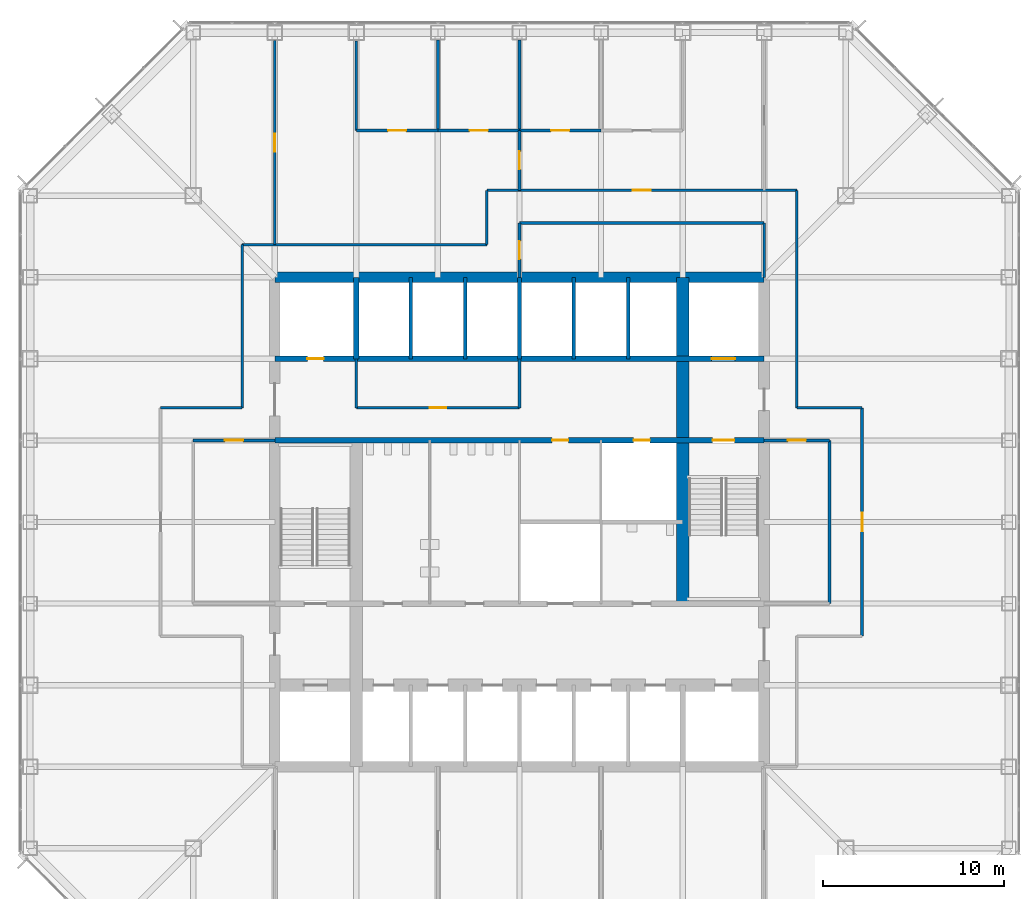
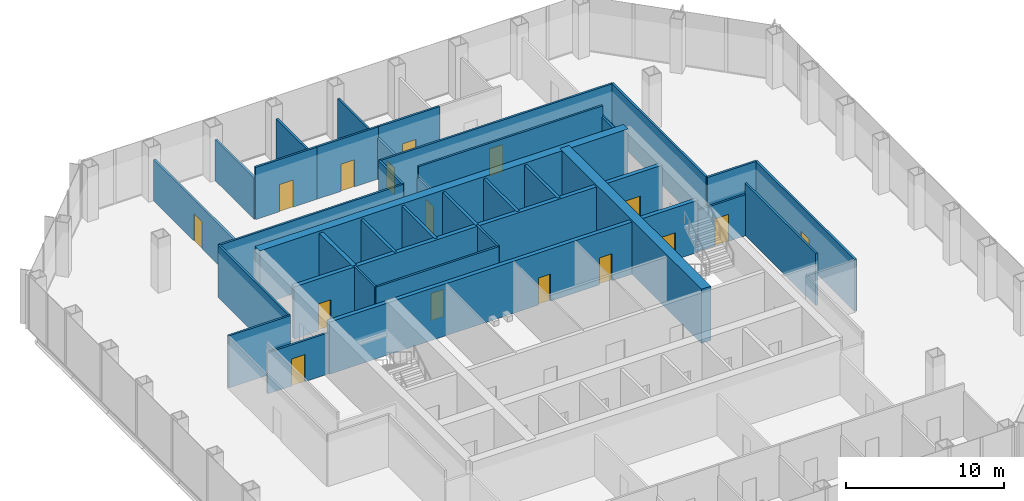
# One storey, part 10 of 13: 35 walls, 16 doors, 16 openings.
"""IFC4 building model written with IfcOpenShell, lengths in metres."""

from ifc_helpers import new_model, si_unit, direction, frame, frame_2d, origin, place, context, subcontext, project, spatial, rectangle, extrude, material, layer, layer_set, type_object, element, fill, save


model = new_model("IFC4")

# Units and contexts
model_context = context("Model", 3, precision=1e-05, world=origin(), true_north=direction((0.0, 1.0)))
body_context = subcontext(model_context, "Body", "Model", "MODEL_VIEW")
ifc_project = project(units=[si_unit("LENGTHUNIT", "METRE"), si_unit("AREAUNIT", "SQUARE_METRE"), si_unit("VOLUMEUNIT", "CUBIC_METRE"), si_unit("PLANEANGLEUNIT", "RADIAN"), si_unit("MASSUNIT", "GRAM", prefix="KILO")], contexts=[model_context])

# Site, building, storey
site_placement = place(None, origin())
site = spatial("IfcSite", under=ifc_project, at=site_placement, CompositionType="ELEMENT")
building_placement = place(site_placement, origin())
building = spatial("IfcBuilding", under=site, at=building_placement, Name="Corais Broadcast Tower", CompositionType="ELEMENT")
storey_placement = place(building_placement, frame((0.0, 0.0, 83.60009765625)))
storey = spatial("IfcBuildingStorey", under=building, at=storey_placement, Name="L18", CompositionType="ELEMENT", Elevation=83.60009765625)

# Wall
ifc_material_1 = material(Name="Concrete blockwork class A, grouted, two-hour", Category="masonry")
ifc_layer_1 = layer(ifc_material_1, 0.300048828125)
ifc_layer_set_1 = layer_set([ifc_layer_1], Name="Concrete blockwork class A, grouted, two-hour")
wall_type_1 = type_object("IfcWallType", Name="Core lobby wall 300", PredefinedType="SOLIDWALL", material=ifc_layer_set_1)
wall_1_placement = place(storey_placement, frame((18.0, 36.0, 0.0), z_axis=(0.0, 0.0, 1.0), x_axis=(0.0, 1.0, 0.0)))
element("IfcWall", 1, at=wall_1_placement, inside=storey, type_object=wall_type_1, Name="CL1 core shaft wall X18B L18", PredefinedType="SOLIDWALL", context=body_context, shape_type="SweptSolid", body=[
    extrude(rectangle(XDim=4.5, YDim=0.300048828125, at=frame_2d((2.25, 0.0))), origin(), (0.0, 0.0, 1.0), 4.039794921875),
])

# Wall, openings, doors
wall_2_placement = place(storey_placement, frame((13.5, 31.5, 0.0), z_axis=(0.0, 0.0, 1.0), x_axis=(1.0, 0.0, 0.0)))
wall_2 = element("IfcWall", 2, at=wall_2_placement, inside=storey, type_object=wall_type_1, Name="CL1 core lobby wall Y315 L18", PredefinedType="SOLIDWALL", context=body_context, shape_type="SweptSolid", body=[
    extrude(rectangle(XDim=27.0, YDim=0.300048828125, at=frame_2d((13.5, 0.0))), origin(), (0.0, 0.0, 1.0), 4.039794921875),
])
opening_1_placement = place(wall_2_placement, frame((24.14990234375, 0.0, 0.0)))
opening_1 = element("IfcOpeningElement", 3, at=opening_1_placement, cuts=wall_2, Name="Opening FD1", PredefinedType="OPENING", context=body_context, shape_type="SweptSolid", body=[
    extrude(rectangle(XDim=1.199951171875, YDim=2.10009765625, at=frame_2d((0.60009765625, 1.050048828125))), frame((0.0, 0.159912109375, 0.0), z_axis=(0.0, -1.0, 0.0), x_axis=(1.0, 0.0, 0.0)), (0.0, 0.0, 1.0), 0.320068359375),
])
opening_2_placement = place(wall_2_placement, frame((15.300048828125, 0.0, 0.0)))
opening_2 = element("IfcOpeningElement", 4, at=opening_2_placement, cuts=wall_2, Name="Opening RD1", PredefinedType="OPENING", context=body_context, shape_type="SweptSolid", body=[
    extrude(rectangle(XDim=0.89990234375, YDim=2.10009765625, at=frame_2d((0.449951171875, 1.050048828125))), frame((0.0, 0.159912109375, 0.0), z_axis=(0.0, -1.0, 0.0), x_axis=(1.0, 0.0, 0.0)), (0.0, 0.0, 1.0), 0.320068359375),
])
opening_3_placement = place(wall_2_placement, frame((19.800048828125, 0.0, 0.0)))
opening_3 = element("IfcOpeningElement", 5, at=opening_3_placement, cuts=wall_2, Name="Opening RD1", PredefinedType="OPENING", context=body_context, shape_type="SweptSolid", body=[
    extrude(rectangle(XDim=0.89990234375, YDim=2.10009765625, at=frame_2d((0.449951171875, 1.050048828125))), frame((0.0, 0.159912109375, 0.0), z_axis=(0.0, -1.0, 0.0), x_axis=(1.0, 0.0, 0.0)), (0.0, 0.0, 1.0), 0.320068359375),
])
ifc_material_2 = material(Name="Steel fire door", Category="steel")
door_type_1 = type_object("IfcDoorType", Name="Fire door 1200x2100", OperationType="SINGLE_SWING_LEFT", PredefinedType="DOOR", material=ifc_material_2)
door_1_placement = place(opening_1_placement, origin())
door_1 = element("IfcDoor", 6, at=door_1_placement, inside=storey, type_object=door_type_1, Name="FD1 stair B door L18", OperationType="SINGLE_SWING_RIGHT", OverallHeight=2.10009765625, OverallWidth=1.199951171875, PredefinedType="DOOR", context=body_context, shape_type="SweptSolid", body=[
    extrude(rectangle(XDim=1.199951171875, YDim=2.10009765625, at=frame_2d((0.60009765625, 1.050048828125))), frame((0.0, 0.02490234375, 0.0), z_axis=(0.0, -1.0, 0.0), x_axis=(1.0, 0.0, 0.0)), (0.0, 0.0, 1.0), 0.050048828125),
])
fill(opening_1, door_1)
ifc_material_3 = material(Name="Steel fire door", Category="steel")
door_type_2 = type_object("IfcDoorType", Name="Riser door 900x2100", OperationType="SINGLE_SWING_LEFT", PredefinedType="DOOR", material=ifc_material_3)
door_2_placement = place(opening_2_placement, origin())
door_2 = element("IfcDoor", 7, at=door_2_placement, inside=storey, type_object=door_type_2, Name="RD1 stationery store door L18", OperationType="SINGLE_SWING_RIGHT", OverallHeight=2.10009765625, OverallWidth=0.89990234375, PredefinedType="DOOR", context=body_context, shape_type="SweptSolid", body=[
    extrude(rectangle(XDim=0.89990234375, YDim=2.10009765625, at=frame_2d((0.449951171875, 1.050048828125))), frame((0.0, 0.02490234375, 0.0), z_axis=(0.0, -1.0, 0.0), x_axis=(1.0, 0.0, 0.0)), (0.0, 0.0, 1.0), 0.050048828125),
])
fill(opening_2, door_2)
door_3_placement = place(opening_3_placement, origin())
door_3 = element("IfcDoor", 8, at=door_3_placement, inside=storey, type_object=door_type_2, Name="RD1 riser door L18", OperationType="SINGLE_SWING_RIGHT", OverallHeight=2.10009765625, OverallWidth=0.89990234375, PredefinedType="DOOR", context=body_context, shape_type="SweptSolid", body=[
    extrude(rectangle(XDim=0.89990234375, YDim=2.10009765625, at=frame_2d((0.449951171875, 1.050048828125))), frame((0.0, 0.02490234375, 0.0), z_axis=(0.0, -1.0, 0.0), x_axis=(1.0, 0.0, 0.0)), (0.0, 0.0, 1.0), 0.050048828125),
])
fill(opening_3, door_3)

# Walls
ifc_material_4 = material(Name="Concrete C50/60", Category="concrete")
ifc_layer_2 = layer(ifc_material_4, 0.699951171875)
ifc_layer_set_2 = layer_set([ifc_layer_2], Name="Concrete C50/60")
wall_type_2 = type_object("IfcWallType", Name="Core spine wall 700", PredefinedType="SHEAR", material=ifc_layer_set_2)
wall_3_placement = place(storey_placement, frame((36.0, 22.5, 0.0), z_axis=(0.0, 0.0, 1.0), x_axis=(0.0, 1.0, 0.0)))
element("IfcWall", 9, at=wall_3_placement, inside=storey, type_object=wall_type_2, Name="CR700 core wall X36B L18", PredefinedType="SHEAR", context=body_context, shape_type="SweptSolid", body=[
    extrude(rectangle(XDim=18.0, YDim=0.699951171875, at=frame_2d((9.0, 0.0))), origin(), (0.0, 0.0, 1.0), 4.199951171875),
])
ifc_material_5 = material(Name="Concrete C50/60", Category="concrete")
ifc_layer_3 = layer(ifc_material_5, 0.60009765625)
ifc_layer_set_3 = layer_set([ifc_layer_3], Name="Concrete C50/60")
wall_type_3 = type_object("IfcWallType", Name="Core wall 600", PredefinedType="SHEAR", material=ifc_layer_set_3)
wall_4_placement = place(storey_placement, frame((40.5, 40.5, 0.0), z_axis=(0.0, 0.0, 1.0), x_axis=(-1.0, 0.0, 0.0)))
element("IfcWall", 10, at=wall_4_placement, inside=storey, type_object=wall_type_3, Name="CR600 core wall N L18", PredefinedType="SHEAR", context=body_context, shape_type="SweptSolid", body=[
    extrude(rectangle(XDim=27.0, YDim=0.60009765625, at=frame_2d((13.5, 0.0))), origin(), (0.0, 0.0, 1.0), 4.199951171875),
])

# Wall, openings, doors
ifc_material_6 = material(Name="Concrete blockwork class A, grouted, four-hour", Category="masonry")
ifc_layer_4 = layer(ifc_material_6, 0.300048828125)
ifc_layer_set_4 = layer_set([ifc_layer_4], Name="Concrete blockwork class A, grouted, four-hour")
wall_type_4 = type_object("IfcWallType", Name="Emergency lift shaft wall 300", PredefinedType="SOLIDWALL", material=ifc_layer_set_4)
wall_5_placement = place(storey_placement, frame((13.5, 36.0, 0.0), z_axis=(0.0, 0.0, 1.0), x_axis=(1.0, 0.0, 0.0)))
wall_5 = element("IfcWall", 11, at=wall_5_placement, inside=storey, type_object=wall_type_4, Name="LS1 core lobby wall Y36 L18", PredefinedType="SOLIDWALL", context=body_context, shape_type="SweptSolid", body=[
    extrude(rectangle(XDim=27.0, YDim=0.300048828125, at=frame_2d((13.5, 0.0))), origin(), (0.0, 0.0, 1.0), 4.039794921875),
])
opening_4_placement = place(wall_5_placement, frame((1.800048828125, 0.0, 0.0)))
opening_4 = element("IfcOpeningElement", 12, at=opening_4_placement, cuts=wall_5, Name="Opening RD1", PredefinedType="OPENING", context=body_context, shape_type="SweptSolid", body=[
    extrude(rectangle(XDim=0.89990234375, YDim=2.10009765625, at=frame_2d((0.449951171875, 1.050048828125))), frame((0.0, 0.159912109375, 0.0), z_axis=(0.0, -1.0, 0.0), x_axis=(1.0, 0.0, 0.0)), (0.0, 0.0, 1.0), 0.320068359375),
])
opening_5_placement = place(wall_5_placement, frame((24.10009765625, 0.0, 0.0)))
opening_5 = element("IfcOpeningElement", 13, at=opening_5_placement, cuts=wall_5, Name="Opening LD2", PredefinedType="OPENING", context=body_context, shape_type="SweptSolid", body=[
    extrude(rectangle(XDim=1.300048828125, YDim=2.199951171875, at=frame_2d((0.64990234375, 1.10009765625))), frame((0.0, 0.159912109375, 0.0), z_axis=(0.0, -1.0, 0.0), x_axis=(1.0, 0.0, 0.0)), (0.0, 0.0, 1.0), 0.320068359375),
])
ifc_material_7 = material(Name="Stainless steel lift door", Category="steel")
door_type_3 = type_object("IfcDoorType", Name="Lift landing door 1300x2200", OperationType="SLIDING_TO_LEFT", PredefinedType="DOOR", material=ifc_material_7)
door_4_placement = place(opening_5_placement, origin())
door_4 = element("IfcDoor", 14, at=door_4_placement, inside=storey, type_object=door_type_3, Name="LD2 FL2 landing door L18", OperationType="SLIDING_TO_LEFT", OverallHeight=2.199951171875, OverallWidth=1.300048828125, PredefinedType="DOOR", context=body_context, shape_type="SweptSolid", body=[
    extrude(rectangle(XDim=1.300048828125, YDim=2.199951171875, at=frame_2d((0.64990234375, 1.10009765625))), frame((0.0, 0.02490234375, 0.0), z_axis=(0.0, -1.0, 0.0), x_axis=(1.0, 0.0, 0.0)), (0.0, 0.0, 1.0), 0.050048828125),
])
fill(opening_5, door_4)
door_5_placement = place(opening_4_placement, origin())
door_5 = element("IfcDoor", 15, at=door_5_placement, inside=storey, type_object=door_type_2, Name="RD1 riser door L18", OperationType="SINGLE_SWING_LEFT", OverallHeight=2.10009765625, OverallWidth=0.89990234375, PredefinedType="DOOR", context=body_context, shape_type="SweptSolid", body=[
    extrude(rectangle(XDim=0.89990234375, YDim=2.10009765625, at=frame_2d((0.449951171875, 1.050048828125))), frame((0.0, 0.02490234375, 0.0), z_axis=(0.0, -1.0, 0.0), x_axis=(1.0, 0.0, 0.0)), (0.0, 0.0, 1.0), 0.050048828125),
])
fill(opening_4, door_5)

# Wall, opening, door
ifc_material_8 = material(Name="Two layers of fire-rated gypsum board each side on steel studs", Category="steel")
ifc_layer_5 = layer(ifc_material_8, 0.14990234375)
ifc_layer_set_5 = layer_set([ifc_layer_5], Name="Two layers of fire-rated gypsum board each side on steel studs")
wall_type_5 = type_object("IfcWallType", Name="Fire-rated partition 150 EI 60", PredefinedType="PARTITIONING", material=ifc_layer_set_5)
wall_6_placement = place(storey_placement, frame((18.0, 33.300048828125, 0.0), z_axis=(0.0, 0.0, 1.0), x_axis=(1.0, 0.0, 0.0)))
wall_6 = element("IfcWall", 16, at=wall_6_placement, inside=storey, type_object=wall_type_5, Name="IW7 partition L18", PredefinedType="PARTITIONING", context=body_context, shape_type="SweptSolid", body=[
    extrude(rectangle(XDim=9.0, YDim=0.14990234375, at=frame_2d((4.5, 0.0))), origin(), (0.0, 0.0, 1.0), 4.039794921875),
])
opening_6_placement = place(wall_6_placement, frame((4.050048828125, 0.0, 0.0)))
opening_6 = element("IfcOpeningElement", 17, at=opening_6_placement, cuts=wall_6, Name="Opening RD1", PredefinedType="OPENING", context=body_context, shape_type="SweptSolid", body=[
    extrude(rectangle(XDim=0.89990234375, YDim=2.10009765625, at=frame_2d((0.449951171875, 1.050048828125))), frame((0.0, 0.0849609375, 0.0), z_axis=(0.0, -1.0, 0.0), x_axis=(1.0, 0.0, 0.0)), (0.0, 0.0, 1.0), 0.169921875),
])
door_6_placement = place(opening_6_placement, origin())
door_6 = element("IfcDoor", 18, at=door_6_placement, inside=storey, type_object=door_type_2, Name="RD1 it equipment room door L18", OperationType="SINGLE_SWING_LEFT", OverallHeight=2.10009765625, OverallWidth=0.89990234375, PredefinedType="DOOR", context=body_context, shape_type="SweptSolid", body=[
    extrude(rectangle(XDim=0.89990234375, YDim=2.10009765625, at=frame_2d((0.449951171875, 1.050048828125))), frame((0.0, 0.02490234375, 0.0), z_axis=(0.0, -1.0, 0.0), x_axis=(1.0, 0.0, 0.0)), (0.0, 0.0, 1.0), 0.050048828125),
])
fill(opening_6, door_6)

# Walls
for number, where, z_axis, x_axis, name in (
    (19, (18.0, 33.300048828125, 0.0), (0.0, 0.0, 1.0), (0.0, 1.0, 0.0), "IW7 partition L18"),
    (20, (27.0, 33.300048828125, 0.0), (0.0, 0.0, 1.0), (0.0, 1.0, 0.0), "IW7 partition L18"),
):
    element("IfcWall", number, at=place(storey_placement, frame(where, z_axis=z_axis, x_axis=x_axis)), inside=storey, type_object=wall_type_5, Name=name, PredefinedType="PARTITIONING", context=body_context, shape_type="SweptSolid", body=[
        extrude(rectangle(XDim=2.699951171875, YDim=0.14990234375, at=frame_2d((1.35009765625, 0.0))), origin(), (0.0, 0.0, 1.0), 4.039794921875),
    ])

# Wall, opening, door
ifc_material_9 = material(Name="Gypsum board on steel studs", Category="steel")
ifc_layer_6 = layer(ifc_material_9, 0.14990234375)
ifc_layer_set_6 = layer_set([ifc_layer_6], Name="Gypsum board on steel studs")
wall_type_6 = type_object("IfcWallType", Name="Partition 150", PredefinedType="PARTITIONING", material=ifc_layer_set_6)
wall_7_placement = place(storey_placement, frame((42.300048828125, 45.300048828125, 0.0), z_axis=(0.0, 0.0, 1.0), x_axis=(-1.0, 0.0, 0.0)))
wall_7 = element("IfcWall", 21, at=wall_7_placement, inside=storey, type_object=wall_type_6, Name="IW3 corridor wall L18", PredefinedType="PARTITIONING", context=body_context, shape_type="SweptSolid", body=[
    extrude(rectangle(XDim=17.10009765625, YDim=0.14990234375, at=frame_2d((8.550048828125, 0.0))), origin(), (0.0, 0.0, 1.0), 4.039794921875),
])
opening_7_placement = place(wall_7_placement, frame((8.050048828125, 0.0, 0.0)))
opening_7 = element("IfcOpeningElement", 22, at=opening_7_placement, cuts=wall_7, Name="Opening D1", PredefinedType="OPENING", context=body_context, shape_type="SweptSolid", body=[
    extrude(rectangle(XDim=1.0, YDim=2.10009765625, at=frame_2d((0.5, 1.050048828125))), frame((0.0, 0.0849609375, 0.0), z_axis=(0.0, -1.0, 0.0), x_axis=(1.0, 0.0, 0.0)), (0.0, 0.0, 1.0), 0.169921875),
])
ifc_material_10 = material(Name="Timber door", Category="wood")
door_type_4 = type_object("IfcDoorType", Name="Single door 1000x2100", OperationType="SINGLE_SWING_LEFT", PredefinedType="DOOR", material=ifc_material_10)
door_7_placement = place(opening_7_placement, origin())
door_7 = element("IfcDoor", 23, at=door_7_placement, inside=storey, type_object=door_type_4, Name="D1 workplace door L18", OperationType="SINGLE_SWING_LEFT", OverallHeight=2.10009765625, OverallWidth=1.0, PredefinedType="DOOR", context=body_context, shape_type="SweptSolid", body=[
    extrude(rectangle(XDim=1.0, YDim=2.10009765625, at=frame_2d((0.5, 1.050048828125))), frame((0.0, 0.02490234375, 0.0), z_axis=(0.0, -1.0, 0.0), x_axis=(1.0, 0.0, 0.0)), (0.0, 0.0, 1.0), 0.050048828125),
])
fill(opening_7, door_7)

# Wall
wall_8_placement = place(storey_placement, frame((25.199951171875, 42.300048828125, 0.0), z_axis=(0.0, 0.0, 1.0), x_axis=(-1.0, 0.0, 0.0)))
element("IfcWall", 24, at=wall_8_placement, inside=storey, type_object=wall_type_6, Name="IW3 corridor wall L18", PredefinedType="PARTITIONING", context=body_context, shape_type="SweptSolid", body=[
    extrude(rectangle(XDim=13.5, YDim=0.14990234375, at=frame_2d((6.75, 0.0))), origin(), (0.0, 0.0, 1.0), 4.039794921875),
])

# Wall, opening, door
wall_9_placement = place(storey_placement, frame((45.89990234375, 20.699951171875, 0.0), z_axis=(0.0, 0.0, 1.0), x_axis=(0.0, 1.0, 0.0)))
wall_9 = element("IfcWall", 25, at=wall_9_placement, inside=storey, type_object=wall_type_6, Name="IW3 corridor wall L18", PredefinedType="PARTITIONING", context=body_context, shape_type="SweptSolid", body=[
    extrude(rectangle(XDim=12.60009765625, YDim=0.14990234375, at=frame_2d((6.300048828125, 0.0))), origin(), (0.0, 0.0, 1.0), 4.039794921875),
])
opening_8_placement = place(wall_9_placement, frame((5.800048828125, 0.0, 0.0)))
opening_8 = element("IfcOpeningElement", 26, at=opening_8_placement, cuts=wall_9, Name="Opening D1", PredefinedType="OPENING", context=body_context, shape_type="SweptSolid", body=[
    extrude(rectangle(XDim=1.0, YDim=2.10009765625, at=frame_2d((0.5, 1.050048828125))), frame((0.0, 0.0849609375, 0.0), z_axis=(0.0, -1.0, 0.0), x_axis=(1.0, 0.0, 0.0)), (0.0, 0.0, 1.0), 0.169921875),
])
door_8_placement = place(opening_8_placement, origin())
door_8 = element("IfcDoor", 27, at=door_8_placement, inside=storey, type_object=door_type_4, Name="D1 workplace door L18", OperationType="SINGLE_SWING_LEFT", OverallHeight=2.10009765625, OverallWidth=1.0, PredefinedType="DOOR", context=body_context, shape_type="SweptSolid", body=[
    extrude(rectangle(XDim=1.0, YDim=2.10009765625, at=frame_2d((0.5, 1.050048828125))), frame((0.0, 0.02490234375, 0.0), z_axis=(0.0, -1.0, 0.0), x_axis=(1.0, 0.0, 0.0)), (0.0, 0.0, 1.0), 0.050048828125),
])
fill(opening_8, door_8)

# Walls
wall_10_placement = place(storey_placement, frame((42.300048828125, 33.300048828125, 0.0), z_axis=(0.0, 0.0, 1.0), x_axis=(0.0, 1.0, 0.0)))
element("IfcWall", 28, at=wall_10_placement, inside=storey, type_object=wall_type_6, Name="IW3 corridor wall L18", PredefinedType="PARTITIONING", context=body_context, shape_type="SweptSolid", body=[
    extrude(rectangle(XDim=12.0, YDim=0.14990234375, at=frame_2d((6.0, 0.0))), origin(), (0.0, 0.0, 1.0), 4.039794921875),
])
wall_11_placement = place(storey_placement, frame((11.699951171875, 42.300048828125, 0.0), z_axis=(0.0, 0.0, 1.0), x_axis=(0.0, -1.0, 0.0)))
element("IfcWall", 29, at=wall_11_placement, inside=storey, type_object=wall_type_6, Name="IW3 corridor wall L18", PredefinedType="PARTITIONING", context=body_context, shape_type="SweptSolid", body=[
    extrude(rectangle(XDim=9.0, YDim=0.14990234375, at=frame_2d((4.5, 0.0))), origin(), (0.0, 0.0, 1.0), 4.039794921875),
])
wall_12_placement = place(storey_placement, frame((11.699951171875, 33.300048828125, 0.0), z_axis=(0.0, 0.0, 1.0), x_axis=(-1.0, 0.0, 0.0)))
element("IfcWall", 30, at=wall_12_placement, inside=storey, type_object=wall_type_6, Name="IW3 corridor wall L18", PredefinedType="PARTITIONING", context=body_context, shape_type="SweptSolid", body=[
    extrude(rectangle(XDim=4.5, YDim=0.14990234375, at=frame_2d((2.25, 0.0))), origin(), (0.0, 0.0, 1.0), 4.039794921875),
])
wall_13_placement = place(storey_placement, frame((45.89990234375, 33.300048828125, 0.0), z_axis=(0.0, 0.0, 1.0), x_axis=(-1.0, 0.0, 0.0)))
element("IfcWall", 31, at=wall_13_placement, inside=storey, type_object=wall_type_6, Name="IW3 corridor wall L18", PredefinedType="PARTITIONING", context=body_context, shape_type="SweptSolid", body=[
    extrude(rectangle(XDim=3.599853515625, YDim=0.14990234375, at=frame_2d((1.7998046875, 0.0))), origin(), (0.0, 0.0, 1.0), 4.039794921875),
])
wall_14_placement = place(storey_placement, frame((25.199951171875, 45.300048828125, 0.0), z_axis=(0.0, 0.0, 1.0), x_axis=(0.0, -1.0, 0.0)))
element("IfcWall", 32, at=wall_14_placement, inside=storey, type_object=wall_type_6, Name="IW3 corridor wall L18", PredefinedType="PARTITIONING", context=body_context, shape_type="SweptSolid", body=[
    extrude(rectangle(XDim=3.0, YDim=0.14990234375, at=frame_2d((1.5, 0.0))), origin(), (0.0, 0.0, 1.0), 4.039794921875),
])

# Wall, opening, door
wall_15_placement = place(storey_placement, frame((18.0, 48.60009765625, 0.0), z_axis=(0.0, 0.0, 1.0), x_axis=(1.0, 0.0, 0.0)))
wall_15 = element("IfcWall", 33, at=wall_15_placement, inside=storey, type_object=wall_type_6, Name="IW3 partition L18", PredefinedType="PARTITIONING", context=body_context, shape_type="SweptSolid", body=[
    extrude(rectangle(XDim=4.5, YDim=0.14990234375, at=frame_2d((2.25, 0.0))), origin(), (0.0, 0.0, 1.0), 4.039794921875),
])
opening_9_placement = place(wall_15_placement, frame((1.75, 0.0, 0.0)))
opening_9 = element("IfcOpeningElement", 34, at=opening_9_placement, cuts=wall_15, Name="Opening D1", PredefinedType="OPENING", context=body_context, shape_type="SweptSolid", body=[
    extrude(rectangle(XDim=1.0, YDim=2.10009765625, at=frame_2d((0.5, 1.050048828125))), frame((0.0, 0.0849609375, 0.0), z_axis=(0.0, -1.0, 0.0), x_axis=(1.0, 0.0, 0.0)), (0.0, 0.0, 1.0), 0.169921875),
])
door_9_placement = place(opening_9_placement, origin())
door_9 = element("IfcDoor", 35, at=door_9_placement, inside=storey, type_object=door_type_4, Name="D1 Office door", OperationType="SINGLE_SWING_LEFT", OverallHeight=2.10009765625, OverallWidth=1.0, PredefinedType="DOOR", context=body_context, shape_type="SweptSolid", body=[
    extrude(rectangle(XDim=1.0, YDim=2.10009765625, at=frame_2d((0.5, 1.050048828125))), frame((0.0, 0.02490234375, 0.0), z_axis=(0.0, -1.0, 0.0), x_axis=(1.0, 0.0, 0.0)), (0.0, 0.0, 1.0), 0.050048828125),
])
fill(opening_9, door_9)

# Walls
wall_16_placement = place(storey_placement, frame((22.5, 48.60009765625, 0.0), z_axis=(0.0, 0.0, 1.0), x_axis=(0.0, 1.0, 0.0)))
element("IfcWall", 36, at=wall_16_placement, inside=storey, type_object=wall_type_6, Name="IW3 partition L18", PredefinedType="PARTITIONING", context=body_context, shape_type="SweptSolid", body=[
    extrude(rectangle(XDim=4.989990234375, YDim=0.14990234375, at=frame_2d((2.4951171875, 0.0))), origin(), (0.0, 0.0, 1.0), 3.18896484375),
])
wall_17_placement = place(storey_placement, frame((18.0, 53.5400390625, 0.0), z_axis=(0.0, 0.0, 1.0), x_axis=(0.0, -1.0, 0.0)))
element("IfcWall", 37, at=wall_17_placement, inside=storey, type_object=wall_type_6, Name="IW3 partition L18", PredefinedType="PARTITIONING", context=body_context, shape_type="SweptSolid", body=[
    extrude(rectangle(XDim=4.93994140625, YDim=0.14990234375, at=frame_2d((2.469970703125, 0.0))), origin(), (0.0, 0.0, 1.0), 3.18896484375),
])

# Wall, opening, door
wall_18_placement = place(storey_placement, frame((22.5, 48.60009765625, 0.0), z_axis=(0.0, 0.0, 1.0), x_axis=(1.0, 0.0, 0.0)))
wall_18 = element("IfcWall", 38, at=wall_18_placement, inside=storey, type_object=wall_type_6, Name="IW3 partition L18", PredefinedType="PARTITIONING", context=body_context, shape_type="SweptSolid", body=[
    extrude(rectangle(XDim=4.5, YDim=0.14990234375, at=frame_2d((2.25, 0.0))), origin(), (0.0, 0.0, 1.0), 4.039794921875),
])
opening_10_placement = place(wall_18_placement, frame((1.75, 0.0, 0.0)))
opening_10 = element("IfcOpeningElement", 39, at=opening_10_placement, cuts=wall_18, Name="Opening D1", PredefinedType="OPENING", context=body_context, shape_type="SweptSolid", body=[
    extrude(rectangle(XDim=1.0, YDim=2.10009765625, at=frame_2d((0.5, 1.050048828125))), frame((0.0, 0.0849609375, 0.0), z_axis=(0.0, -1.0, 0.0), x_axis=(1.0, 0.0, 0.0)), (0.0, 0.0, 1.0), 0.169921875),
])
door_10_placement = place(opening_10_placement, origin())
door_10 = element("IfcDoor", 40, at=door_10_placement, inside=storey, type_object=door_type_4, Name="D1 Office door", OperationType="SINGLE_SWING_LEFT", OverallHeight=2.10009765625, OverallWidth=1.0, PredefinedType="DOOR", context=body_context, shape_type="SweptSolid", body=[
    extrude(rectangle(XDim=1.0, YDim=2.10009765625, at=frame_2d((0.5, 1.050048828125))), frame((0.0, 0.02490234375, 0.0), z_axis=(0.0, -1.0, 0.0), x_axis=(1.0, 0.0, 0.0)), (0.0, 0.0, 1.0), 0.050048828125),
])
fill(opening_10, door_10)

# Wall
wall_19_placement = place(storey_placement, frame((27.0, 48.60009765625, 0.0), z_axis=(0.0, 0.0, 1.0), x_axis=(0.0, 1.0, 0.0)))
element("IfcWall", 41, at=wall_19_placement, inside=storey, type_object=wall_type_6, Name="IW3 partition L18", PredefinedType="PARTITIONING", context=body_context, shape_type="SweptSolid", body=[
    extrude(rectangle(XDim=4.989990234375, YDim=0.14990234375, at=frame_2d((2.4951171875, 0.0))), origin(), (0.0, 0.0, 1.0), 3.18896484375),
])

# Wall, opening, door
wall_20_placement = place(storey_placement, frame((27.0, 48.60009765625, 0.0), z_axis=(0.0, 0.0, 1.0), x_axis=(1.0, 0.0, 0.0)))
wall_20 = element("IfcWall", 42, at=wall_20_placement, inside=storey, type_object=wall_type_6, Name="IW3 partition L18", PredefinedType="PARTITIONING", context=body_context, shape_type="SweptSolid", body=[
    extrude(rectangle(XDim=4.5, YDim=0.14990234375, at=frame_2d((2.25, 0.0))), origin(), (0.0, 0.0, 1.0), 4.039794921875),
])
opening_11_placement = place(wall_20_placement, frame((1.75, 0.0, 0.0)))
opening_11 = element("IfcOpeningElement", 43, at=opening_11_placement, cuts=wall_20, Name="Opening D1", PredefinedType="OPENING", context=body_context, shape_type="SweptSolid", body=[
    extrude(rectangle(XDim=1.0, YDim=2.10009765625, at=frame_2d((0.5, 1.050048828125))), frame((0.0, 0.0849609375, 0.0), z_axis=(0.0, -1.0, 0.0), x_axis=(1.0, 0.0, 0.0)), (0.0, 0.0, 1.0), 0.169921875),
])
door_11_placement = place(opening_11_placement, origin())
door_11 = element("IfcDoor", 44, at=door_11_placement, inside=storey, type_object=door_type_4, Name="D1 Office door", OperationType="SINGLE_SWING_LEFT", OverallHeight=2.10009765625, OverallWidth=1.0, PredefinedType="DOOR", context=body_context, shape_type="SweptSolid", body=[
    extrude(rectangle(XDim=1.0, YDim=2.10009765625, at=frame_2d((0.5, 1.050048828125))), frame((0.0, 0.02490234375, 0.0), z_axis=(0.0, -1.0, 0.0), x_axis=(1.0, 0.0, 0.0)), (0.0, 0.0, 1.0), 0.050048828125),
])
fill(opening_11, door_11)

wall_21_placement = place(storey_placement, frame((13.5, 31.5, 0.0), z_axis=(0.0, 0.0, 1.0), x_axis=(-1.0, 0.0, 0.0)))
wall_21 = element("IfcWall", 45, at=wall_21_placement, inside=storey, type_object=wall_type_6, Name="IW3 partition L18", PredefinedType="PARTITIONING", context=body_context, shape_type="SweptSolid", body=[
    extrude(rectangle(XDim=4.5, YDim=0.14990234375, at=frame_2d((2.25, 0.0))), origin(), (0.0, 0.0, 1.0), 3.18896484375),
])
opening_12_placement = place(wall_21_placement, frame((1.75, 0.0, 0.0)))
opening_12 = element("IfcOpeningElement", 46, at=opening_12_placement, cuts=wall_21, Name="Opening D1", PredefinedType="OPENING", context=body_context, shape_type="SweptSolid", body=[
    extrude(rectangle(XDim=1.0, YDim=2.10009765625, at=frame_2d((0.5, 1.050048828125))), frame((0.0, 0.0849609375, 0.0), z_axis=(0.0, -1.0, 0.0), x_axis=(1.0, 0.0, 0.0)), (0.0, 0.0, 1.0), 0.169921875),
])
door_12_placement = place(opening_12_placement, origin())
door_12 = element("IfcDoor", 47, at=door_12_placement, inside=storey, type_object=door_type_4, Name="D1 Meeting room door", OperationType="SINGLE_SWING_LEFT", OverallHeight=2.10009765625, OverallWidth=1.0, PredefinedType="DOOR", context=body_context, shape_type="SweptSolid", body=[
    extrude(rectangle(XDim=1.0, YDim=2.10009765625, at=frame_2d((0.5, 1.050048828125))), frame((0.0, 0.02490234375, 0.0), z_axis=(0.0, -1.0, 0.0), x_axis=(1.0, 0.0, 0.0)), (0.0, 0.0, 1.0), 0.050048828125),
])
fill(opening_12, door_12)

# Wall
wall_22_placement = place(storey_placement, frame((44.10009765625, 22.5, 0.0), z_axis=(0.0, 0.0, 1.0), x_axis=(0.0, 1.0, 0.0)))
element("IfcWall", 48, at=wall_22_placement, inside=storey, type_object=wall_type_6, Name="IW3 partition L18", PredefinedType="PARTITIONING", context=body_context, shape_type="SweptSolid", body=[
    extrude(rectangle(XDim=9.0, YDim=0.14990234375, at=frame_2d((4.5, 0.0))), origin(), (0.0, 0.0, 1.0), 4.039794921875),
])

# Wall, opening, door
wall_23_placement = place(storey_placement, frame((44.10009765625, 31.5, 0.0), z_axis=(0.0, 0.0, 1.0), x_axis=(-1.0, 0.0, 0.0)))
wall_23 = element("IfcWall", 49, at=wall_23_placement, inside=storey, type_object=wall_type_6, Name="IW3 partition L18", PredefinedType="PARTITIONING", context=body_context, shape_type="SweptSolid", body=[
    extrude(rectangle(XDim=3.60009765625, YDim=0.14990234375, at=frame_2d((1.800048828125, 0.0))), origin(), (0.0, 0.0, 1.0), 3.18896484375),
])
opening_13_placement = place(wall_23_placement, frame((1.300048828125, 0.0, 0.0)))
opening_13 = element("IfcOpeningElement", 50, at=opening_13_placement, cuts=wall_23, Name="Opening D1", PredefinedType="OPENING", context=body_context, shape_type="SweptSolid", body=[
    extrude(rectangle(XDim=1.0, YDim=2.10009765625, at=frame_2d((0.5, 1.050048828125))), frame((0.0, 0.0849609375, 0.0), z_axis=(0.0, -1.0, 0.0), x_axis=(1.0, 0.0, 0.0)), (0.0, 0.0, 1.0), 0.169921875),
])
door_13_placement = place(opening_13_placement, origin())
door_13 = element("IfcDoor", 51, at=door_13_placement, inside=storey, type_object=door_type_4, Name="D1 Pantry door", OperationType="SINGLE_SWING_LEFT", OverallHeight=2.10009765625, OverallWidth=1.0, PredefinedType="DOOR", context=body_context, shape_type="SweptSolid", body=[
    extrude(rectangle(XDim=1.0, YDim=2.10009765625, at=frame_2d((0.5, 1.050048828125))), frame((0.0, 0.02490234375, 0.0), z_axis=(0.0, -1.0, 0.0), x_axis=(1.0, 0.0, 0.0)), (0.0, 0.0, 1.0), 0.050048828125),
])
fill(opening_13, door_13)

# Walls
wall_24_placement = place(storey_placement, frame((40.5, 40.5, 0.0), z_axis=(0.0, 0.0, 1.0), x_axis=(0.0, 1.0, 0.0)))
element("IfcWall", 52, at=wall_24_placement, inside=storey, type_object=wall_type_6, Name="IW3 partition L18", PredefinedType="PARTITIONING", context=body_context, shape_type="SweptSolid", body=[
    extrude(rectangle(XDim=3.0, YDim=0.14990234375, at=frame_2d((1.5, 0.0))), origin(), (0.0, 0.0, 1.0), 3.18896484375),
])
wall_25_placement = place(storey_placement, frame((40.5, 43.5, 0.0), z_axis=(0.0, 0.0, 1.0), x_axis=(-1.0, 0.0, 0.0)))
element("IfcWall", 53, at=wall_25_placement, inside=storey, type_object=wall_type_6, Name="IW3 partition L18", PredefinedType="PARTITIONING", context=body_context, shape_type="SweptSolid", body=[
    extrude(rectangle(XDim=13.5, YDim=0.14990234375, at=frame_2d((6.75, 0.0))), origin(), (0.0, 0.0, 1.0), 4.039794921875),
])

# Wall, opening, door
wall_26_placement = place(storey_placement, frame((27.0, 43.5, 0.0), z_axis=(0.0, 0.0, 1.0), x_axis=(0.0, -1.0, 0.0)))
wall_26 = element("IfcWall", 54, at=wall_26_placement, inside=storey, type_object=wall_type_6, Name="IW3 partition L18", PredefinedType="PARTITIONING", context=body_context, shape_type="SweptSolid", body=[
    extrude(rectangle(XDim=3.0, YDim=0.14990234375, at=frame_2d((1.5, 0.0))), origin(), (0.0, 0.0, 1.0), 3.18896484375),
])
opening_14_placement = place(wall_26_placement, frame((1.0, 0.0, 0.0)))
opening_14 = element("IfcOpeningElement", 55, at=opening_14_placement, cuts=wall_26, Name="Opening D1", PredefinedType="OPENING", context=body_context, shape_type="SweptSolid", body=[
    extrude(rectangle(XDim=1.0, YDim=2.10009765625, at=frame_2d((0.5, 1.050048828125))), frame((0.0, 0.0849609375, 0.0), z_axis=(0.0, -1.0, 0.0), x_axis=(1.0, 0.0, 0.0)), (0.0, 0.0, 1.0), 0.169921875),
])
door_14_placement = place(opening_14_placement, origin())
door_14 = element("IfcDoor", 56, at=door_14_placement, inside=storey, type_object=door_type_4, Name="D1 Copy and print room door", OperationType="SINGLE_SWING_LEFT", OverallHeight=2.10009765625, OverallWidth=1.0, PredefinedType="DOOR", context=body_context, shape_type="SweptSolid", body=[
    extrude(rectangle(XDim=1.0, YDim=2.10009765625, at=frame_2d((0.5, 1.050048828125))), frame((0.0, 0.02490234375, 0.0), z_axis=(0.0, -1.0, 0.0), x_axis=(1.0, 0.0, 0.0)), (0.0, 0.0, 1.0), 0.050048828125),
])
fill(opening_14, door_14)

wall_27_placement = place(storey_placement, frame((13.5, 42.300048828125, 0.0), z_axis=(0.0, 0.0, 1.0), x_axis=(0.0, 1.0, 0.0)))
wall_27 = element("IfcWall", 57, at=wall_27_placement, inside=storey, type_object=wall_type_6, Name="IW3 partition L18", PredefinedType="PARTITIONING", context=body_context, shape_type="SweptSolid", body=[
    extrude(rectangle(XDim=11.2548828125, YDim=0.14990234375, at=frame_2d((5.62744140625, 0.0))), origin(), (0.0, 0.0, 1.0), 3.18896484375),
])
opening_15_placement = place(wall_27_placement, frame((5.12744140625, 0.0, 0.0)))
opening_15 = element("IfcOpeningElement", 58, at=opening_15_placement, cuts=wall_27, Name="Opening D1", PredefinedType="OPENING", context=body_context, shape_type="SweptSolid", body=[
    extrude(rectangle(XDim=1.0, YDim=2.10009765625, at=frame_2d((0.5, 1.050048828125))), frame((0.0, 0.0849609375, 0.0), z_axis=(0.0, -1.0, 0.0), x_axis=(1.0, 0.0, 0.0)), (0.0, 0.0, 1.0), 0.169921875),
])
door_15_placement = place(opening_15_placement, origin())
door_15 = element("IfcDoor", 59, at=door_15_placement, inside=storey, type_object=door_type_4, Name="D1 team room door L18", OperationType="SINGLE_SWING_LEFT", OverallHeight=2.10009765625, OverallWidth=1.0, PredefinedType="DOOR", context=body_context, shape_type="SweptSolid", body=[
    extrude(rectangle(XDim=1.0, YDim=2.10009765625, at=frame_2d((0.5, 1.050048828125))), frame((0.0, 0.02490234375, 0.0), z_axis=(0.0, -1.0, 0.0), x_axis=(1.0, 0.0, 0.0)), (0.0, 0.0, 1.0), 0.050048828125),
])
fill(opening_15, door_15)

wall_28_placement = place(storey_placement, frame((27.0, 48.60009765625, 0.0), z_axis=(0.0, 0.0, 1.0), x_axis=(0.0, -1.0, 0.0)))
wall_28 = element("IfcWall", 60, at=wall_28_placement, inside=storey, type_object=wall_type_6, Name="IW3 partition L18", PredefinedType="PARTITIONING", context=body_context, shape_type="SweptSolid", body=[
    extrude(rectangle(XDim=3.300048828125, YDim=0.14990234375, at=frame_2d((1.64990234375, 0.0))), origin(), (0.0, 0.0, 1.0), 3.18896484375),
])
opening_16_placement = place(wall_28_placement, frame((1.14990234375, 0.0, 0.0)))
opening_16 = element("IfcOpeningElement", 61, at=opening_16_placement, cuts=wall_28, Name="Opening D1", PredefinedType="OPENING", context=body_context, shape_type="SweptSolid", body=[
    extrude(rectangle(XDim=1.0, YDim=2.10009765625, at=frame_2d((0.5, 1.050048828125))), frame((0.0, 0.0849609375, 0.0), z_axis=(0.0, -1.0, 0.0), x_axis=(1.0, 0.0, 0.0)), (0.0, 0.0, 1.0), 0.169921875),
])
door_16_placement = place(opening_16_placement, origin())
door_16 = element("IfcDoor", 62, at=door_16_placement, inside=storey, type_object=door_type_4, Name="D1 team room door L18", OperationType="SINGLE_SWING_LEFT", OverallHeight=2.10009765625, OverallWidth=1.0, PredefinedType="DOOR", context=body_context, shape_type="SweptSolid", body=[
    extrude(rectangle(XDim=1.0, YDim=2.10009765625, at=frame_2d((0.5, 1.050048828125))), frame((0.0, 0.02490234375, 0.0), z_axis=(0.0, -1.0, 0.0), x_axis=(1.0, 0.0, 0.0)), (0.0, 0.0, 1.0), 0.050048828125),
])
fill(opening_16, door_16)

# Walls
ifc_material_11 = material(Name="Concrete blockwork class A, grouted, two-hour", Category="masonry")
ifc_layer_7 = layer(ifc_material_11, 0.199951171875)
ifc_layer_set_7 = layer_set([ifc_layer_7], Name="Concrete blockwork class A, grouted, two-hour")
wall_type_7 = type_object("IfcWallType", Name="Shaft wall 200", PredefinedType="PARTITIONING", material=ifc_layer_set_7)
for number, where, z_axis, x_axis, name in (
    (63, (21.0, 36.0, 0.0), (0.0, 0.0, 1.0), (0.0, 1.0, 0.0), "IW1 shaft wall L18"),
    (64, (24.0, 36.0, 0.0), (0.0, 0.0, 1.0), (0.0, 1.0, 0.0), "IW1 shaft wall L18"),
    (65, (27.0, 36.0, 0.0), (0.0, 0.0, 1.0), (0.0, 1.0, 0.0), "IW1 shaft wall L18"),
    (66, (30.0, 36.0, 0.0), (0.0, 0.0, 1.0), (0.0, 1.0, 0.0), "IW1 shaft wall L18"),
    (67, (33.0, 36.0, 0.0), (0.0, 0.0, 1.0), (0.0, 1.0, 0.0), "IW1 shaft wall L18"),
):
    element("IfcWall", number, at=place(storey_placement, frame(where, z_axis=z_axis, x_axis=x_axis)), inside=storey, type_object=wall_type_7, Name=name, PredefinedType="PARTITIONING", context=body_context, shape_type="SweptSolid", body=[
        extrude(rectangle(XDim=4.5, YDim=0.199951171875, at=frame_2d((2.25, 0.0))), origin(), (0.0, 0.0, 1.0), 4.039794921875),
    ])

save(model, "model.ifc")
